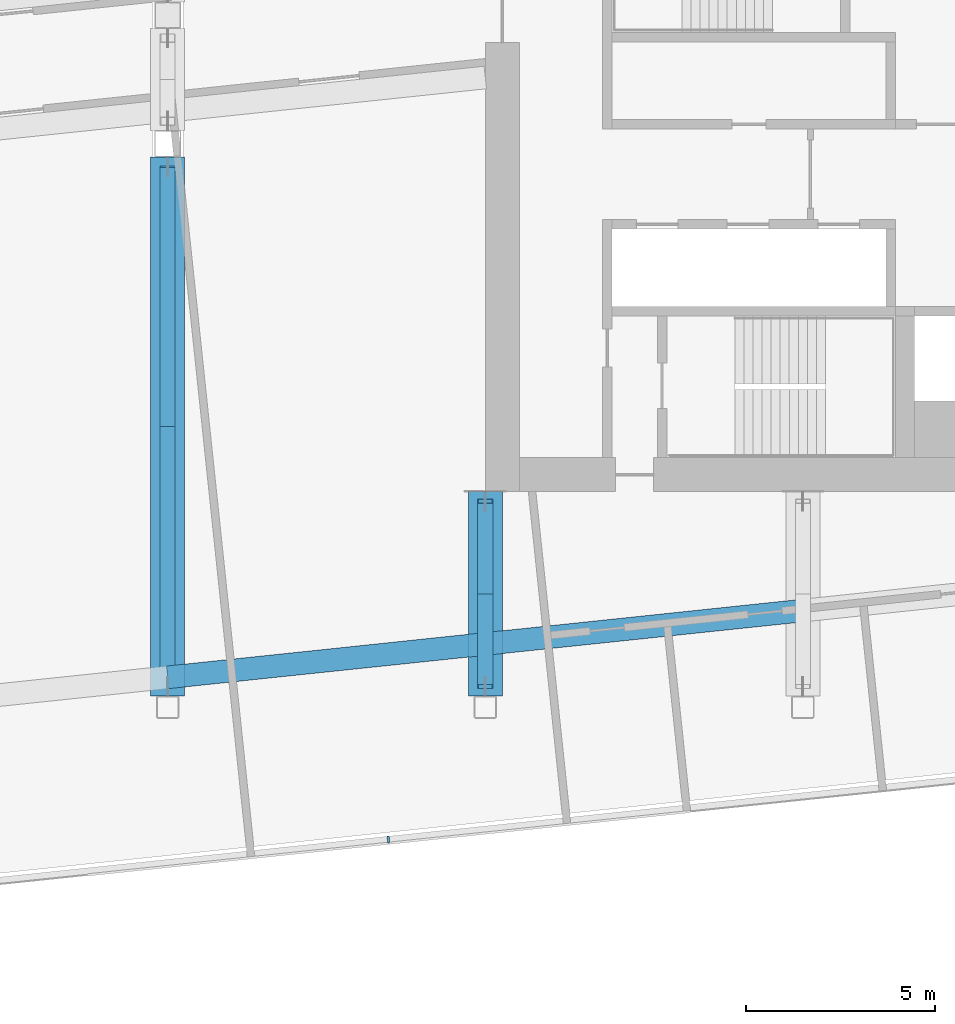
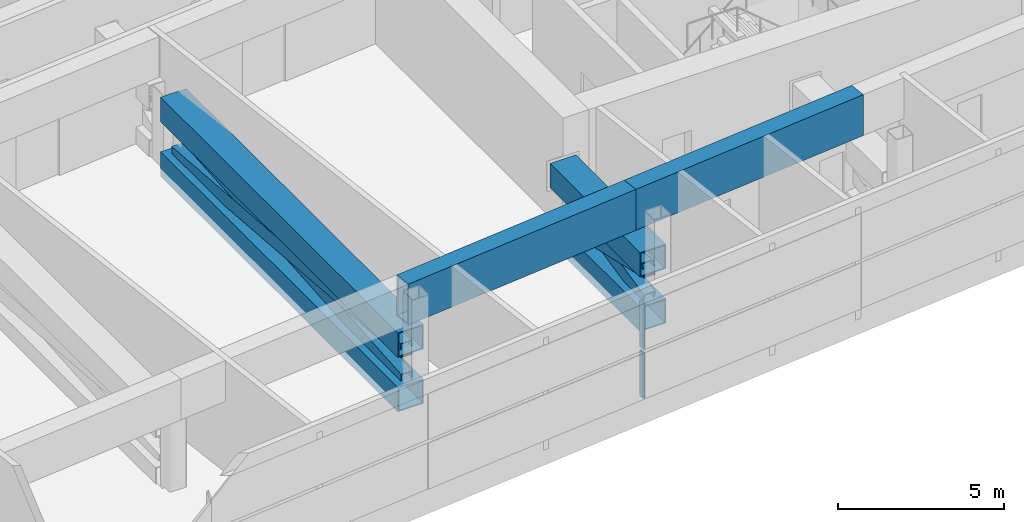
# One storey, part 7 of 33: 10 members, 2 beams, 1 element without a shape of its own.
"""IFC4 building model written with IfcOpenShell, lengths in metres."""

from ifc_helpers import new_model, si_unit, direction, frame, origin, origin_2d, place, context, subcontext, project, spatial, rectangle, hollow_rectangle, extrude, material, layer, layer_set, material_profile, profile_set, type_object, element, aggregate, save


model = new_model("IFC4")

# Units and contexts
model_context = context("Model", 3, precision=1e-05, world=origin(), true_north=direction((0.0, 1.0)))
body_context = subcontext(model_context, "Body", "Model", "MODEL_VIEW")
ifc_project = project(units=[si_unit("LENGTHUNIT", "METRE"), si_unit("AREAUNIT", "SQUARE_METRE"), si_unit("VOLUMEUNIT", "CUBIC_METRE"), si_unit("PLANEANGLEUNIT", "RADIAN"), si_unit("MASSUNIT", "GRAM", prefix="KILO")], contexts=[model_context])

# Site, building, storey
site_placement = place(None, origin())
site = spatial("IfcSite", under=ifc_project, at=site_placement, CompositionType="ELEMENT")
building_placement = place(site_placement, origin())
building = spatial("IfcBuilding", under=site, at=building_placement, Name="Hakoniwa Tower and Hamabe Station Hall", CompositionType="ELEMENT")
storey_placement = place(building_placement, frame((0.0, 0.0, 228.199951171875)))
storey = spatial("IfcBuildingStorey", under=building, at=storey_placement, Name="L65", CompositionType="ELEMENT", Elevation=228.199951171875)

# Curtain wall, members
ifc_material_1 = material(Name="Dark low-e laminated glass", Category="glass")
ifc_layer = layer(ifc_material_1, 0.199951171875)
ifc_layer_set = layer_set([ifc_layer], Name="CW-6 PLANT LOUVRE")
curtain_wall_type = type_object("IfcCurtainWallType", Name="CW-6 PLANT LOUVRE", PredefinedType="NOTDEFINED", material=ifc_layer_set)
curtain_wall_placement = place(storey_placement, origin())
curtain_wall = element("IfcCurtainWall", 1, at=curtain_wall_placement, inside=storey, type_object=curtain_wall_type, Name="CW-6 curtain wall", PredefinedType="NOTDEFINED")
ifc_material_2 = material(Name="Aluminium 6063-T5 black anodised", Category="aluminium")
ifc_material_profile_1 = material_profile(ifc_material_2, rectangle(XDim=0.06005859375, YDim=0.179931640625, at=origin_2d()), Name="CW-1 MULLION 60X180")
ifc_profile_set_1 = profile_set([ifc_material_profile_1], Name="Aluminium 6063-T5 black anodised")
member_type_1 = type_object("IfcMemberType", Name="CW-1 MULLION 60X180", PredefinedType="MULLION", material=ifc_profile_set_1)
member_1_placement = place(storey_placement, frame((14.236572265625, -17.59423828125, 0.35009765625), z_axis=(0.0, 0.0, 1.0), x_axis=(0.994521895328, 0.10452846365, 0.0)))
member_1 = element("IfcMember", 2, at=member_1_placement, type_object=member_type_1, Name="CW-6 mullion", PredefinedType="MULLION", context=body_context, shape_type="SweptSolid", body=[
    extrude(rectangle(XDim=0.06005859375, YDim=0.179931640625, at=origin_2d()), origin(), (0.0, 0.0, 1.0), 1.68994140625),
])
member_2_placement = place(storey_placement, frame((14.236572265625, -17.59423828125, 2.16015625), z_axis=(0.0, 0.0, 1.0), x_axis=(0.994521895328, 0.10452846365, 0.0)))
member_2 = element("IfcMember", 3, at=member_2_placement, type_object=member_type_1, Name="CW-6 mullion", PredefinedType="MULLION", context=body_context, shape_type="SweptSolid", body=[
    extrude(rectangle(XDim=0.06005859375, YDim=0.179931640625, at=origin_2d()), origin(), (0.0, 0.0, 1.0), 1.68994140625),
])
aggregate(curtain_wall, [member_1, member_2])

# Beams
ifc_material_3 = material(Name="Steel SN490C", Category="steel")
ifc_material_profile_2 = material_profile(ifc_material_3, hollow_rectangle(XDim=0.60009765625, YDim=1.5, WallThickness=0.054931640625, at=origin_2d()), Name="BX-1500x600x55")
ifc_profile_set_2 = profile_set([ifc_material_profile_2], Name="Steel SN490C")
beam_type = type_object("IfcBeamType", Name="TRANSFER GIRDER BX-1500x600x55", PredefinedType="BEAM", material=ifc_profile_set_2)
beam_1_placement = place(storey_placement, frame((8.39990234375, -13.30859375, 3.35009765625), z_axis=(0.99452286114, 0.104519274156, 0.0), x_axis=(-0.104519274156, 0.99452286114, 0.0)))
element("IfcBeam", 4, at=beam_1_placement, inside=storey, type_object=beam_type, Name="Truss T4-S-A5-G6", PredefinedType="BEAM", context=body_context, shape_type="SweptSolid", body=[
    extrude(hollow_rectangle(XDim=0.60009765625, YDim=1.5, WallThickness=0.054931640625, at=origin_2d()), origin(), (0.0, 0.0, 1.0), 8.4462890625),
])
beam_2_placement = place(storey_placement, frame((16.800048828125, -12.42578125, 3.35009765625), z_axis=(0.994522545364, 0.10452227879, 0.0), x_axis=(-0.10452227879, 0.994522545364, 0.0)))
element("IfcBeam", 5, at=beam_2_placement, inside=storey, type_object=beam_type, Name="Truss T4-S-A5-G7", PredefinedType="BEAM", context=body_context, shape_type="SweptSolid", body=[
    extrude(hollow_rectangle(XDim=0.60009765625, YDim=1.5, WallThickness=0.054931640625, at=origin_2d()), origin(), (0.0, 0.0, 1.0), 8.446044921875),
])

# Members
ifc_material_4 = material(Name="Steel SN490C", Category="steel")
ifc_material_profile_3 = material_profile(ifc_material_4, hollow_rectangle(XDim=0.89990234375, YDim=0.89990234375, WallThickness=0.035888671875, at=origin_2d()), Name="BX-900x900x36")
ifc_profile_set_3 = profile_set([ifc_material_profile_3], Name="Steel SN490C")
member_type_2 = type_object("IfcMemberType", Name="TRUSS CHORD BX-900x900x36", PredefinedType="CHORD", material=ifc_profile_set_3)
for number, where, z_axis, x_axis, name in (
    (6, (8.39990234375, -13.800048828125, 0.150146484375), (0.0, 1.0, 0.0), (-1.0, 0.0, 0.0), "Truss T4-11-BC01"),
    (7, (8.39990234375, -13.800048828125, 2.150146484375), (0.0, 1.0, 0.0), (-1.0, 0.0, 0.0), "Truss T4-11-TC01"),
):
    element("IfcMember", number, at=place(storey_placement, frame(where, z_axis=z_axis, x_axis=x_axis)), inside=storey, type_object=member_type_2, Name=name, PredefinedType="CHORD", context=body_context, shape_type="SweptSolid", body=[
        extrude(hollow_rectangle(XDim=0.89990234375, YDim=0.89990234375, WallThickness=0.035888671875, at=origin_2d()), origin(), (0.0, 0.0, 1.0), 14.25),
    ])
for number, where, z_axis, x_axis, name in (
    (8, (16.800048828125, -13.800048828125, 0.150146484375), (0.0, 1.0, 0.0), (-1.0, 0.0, 0.0), "Truss T4-12-BC01"),
    (9, (16.800048828125, -13.800048828125, 2.150146484375), (0.0, 1.0, 0.0), (-1.0, 0.0, 0.0), "Truss T4-12-TC01"),
):
    element("IfcMember", number, at=place(storey_placement, frame(where, z_axis=z_axis, x_axis=x_axis)), inside=storey, type_object=member_type_2, Name=name, PredefinedType="CHORD", context=body_context, shape_type="SweptSolid", body=[
        extrude(hollow_rectangle(XDim=0.89990234375, YDim=0.89990234375, WallThickness=0.035888671875, at=origin_2d()), origin(), (0.0, 0.0, 1.0), 5.400146484375),
    ])
ifc_material_5 = material(Name="Steel SN490C", Category="steel")
ifc_material_profile_4 = material_profile(ifc_material_5, hollow_rectangle(XDim=0.39990234375, YDim=0.5, WallThickness=0.02197265625, at=origin_2d()), Name="BX-500x400x22")
ifc_profile_set_4 = profile_set([ifc_material_profile_4], Name="Steel SN490C")
member_type_3 = type_object("IfcMemberType", Name="TRUSS DIAGONAL BX-500x400x22", PredefinedType="BRACE", material=ifc_profile_set_4)
for number, where, z_axis, x_axis, name in (
    (10, (8.39990234375, -13.550048828125, 0.60009765625), (0.0, 0.996816122637, 0.079734670321), (-1.0, 0.0, 0.0), "Truss T4-11-D01a"),
    (11, (8.39990234375, -13.550048828125, 1.699951171875), (0.0, 0.996816122637, -0.079734670321), (-1.0, 0.0, 0.0), "Truss T4-11-D01b"),
):
    element("IfcMember", number, at=place(storey_placement, frame(where, z_axis=z_axis, x_axis=x_axis)), inside=storey, type_object=member_type_3, Name=name, PredefinedType="BRACE", context=body_context, shape_type="SweptSolid", body=[
        extrude(hollow_rectangle(XDim=0.39990234375, YDim=0.5, WallThickness=0.02197265625, at=origin_2d()), origin(), (0.0, 0.0, 1.0), 13.7939453125),
    ])
for number, where, z_axis, x_axis, name in (
    (12, (16.800048828125, -13.550048828125, 0.60009765625), (0.0, 0.975723884725, 0.219004339629), (-1.0, 0.0, 0.0), "Truss T4-12-D01a"),
    (13, (16.800048828125, -13.550048828125, 1.699951171875), (0.0, 0.975723884725, -0.219004339629), (-1.0, 0.0, 0.0), "Truss T4-12-D01b"),
):
    element("IfcMember", number, at=place(storey_placement, frame(where, z_axis=z_axis, x_axis=x_axis)), inside=storey, type_object=member_type_3, Name=name, PredefinedType="BRACE", context=body_context, shape_type="SweptSolid", body=[
        extrude(hollow_rectangle(XDim=0.39990234375, YDim=0.5, WallThickness=0.02197265625, at=origin_2d()), origin(), (0.0, 0.0, 1.0), 5.02197265625),
    ])

save(model, "model.ifc")
